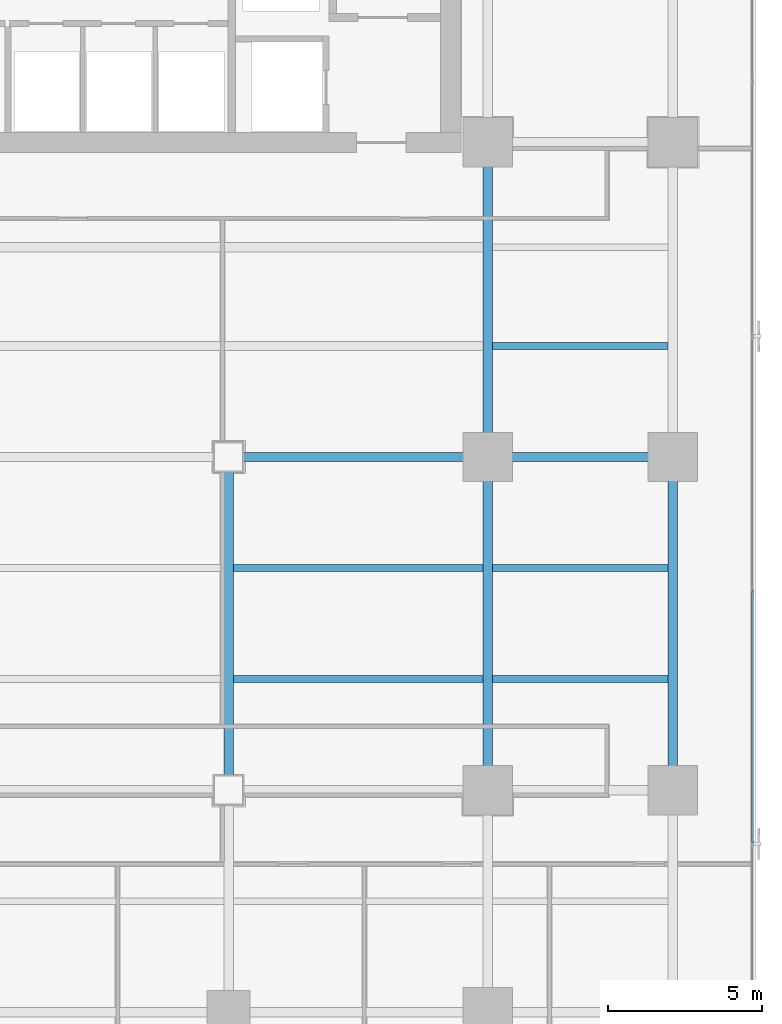
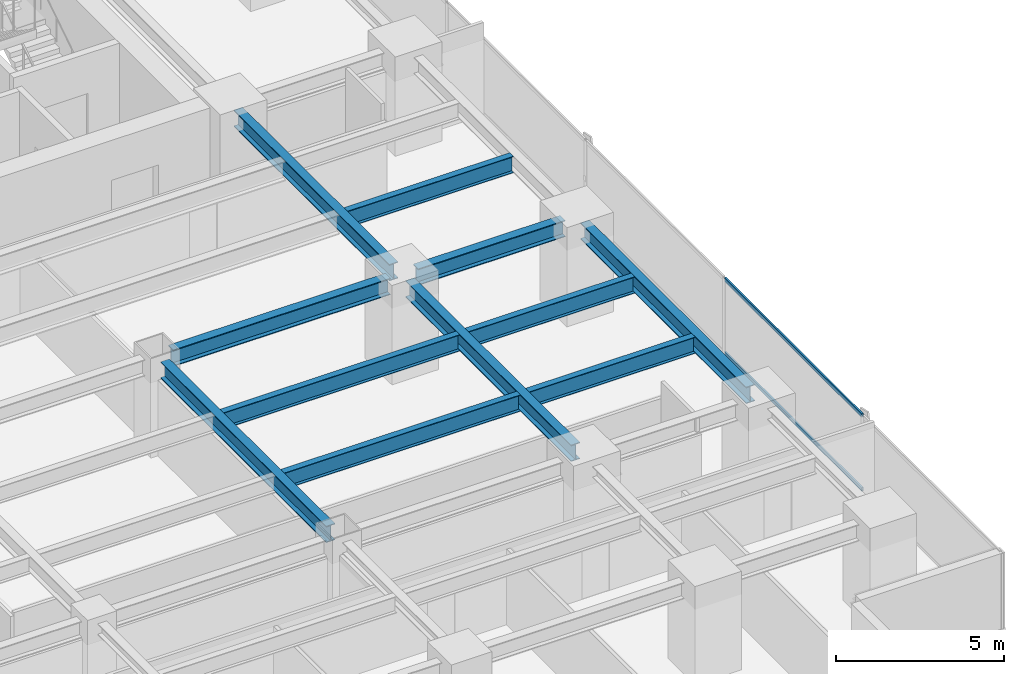
# One storey, part 15 of 36: 11 beams, 2 members, 1 element without a shape of its own.
"""IFC4 building model written with IfcOpenShell, lengths in metres."""

from ifc_helpers import new_model, si_unit, direction, frame, origin, origin_2d, place, context, subcontext, project, spatial, hollow_rectangle, i_section, extrude, source, transform, mapped, material, layer, layer_set, material_profile, profile_set, type_object, element, aggregate, save


model = new_model("IFC4")

# Units and contexts
model_context = context("Model", 3, precision=1e-05, world=origin(), true_north=direction((0.0, 1.0)))
body_context = subcontext(model_context, "Body", "Model", "MODEL_VIEW")
ifc_project = project(units=[si_unit("LENGTHUNIT", "METRE"), si_unit("AREAUNIT", "SQUARE_METRE"), si_unit("VOLUMEUNIT", "CUBIC_METRE"), si_unit("PLANEANGLEUNIT", "RADIAN"), si_unit("MASSUNIT", "GRAM", prefix="KILO")], contexts=[model_context])

# Site, building, storey
site_placement = place(None, origin())
site = spatial("IfcSite", under=ifc_project, at=site_placement, CompositionType="ELEMENT")
building_placement = place(site_placement, origin())
building = spatial("IfcBuilding", under=site, at=building_placement, Name="Sumidabori Civic Tower", CompositionType="ELEMENT")
storey_placement = place(building_placement, frame((0.0, 0.0, 84.800048828125)))
storey = spatial("IfcBuildingStorey", under=building, at=storey_placement, Name="L21", CompositionType="ELEMENT", Elevation=84.800048828125)

# Beams
ifc_material_1 = material(Name="Steel SN490", Category="steel")
ifc_material_profile_1 = material_profile(ifc_material_1, i_section(OverallWidth=0.300048828125, OverallDepth=0.60009765625, WebThickness=0.015380859375, FlangeThickness=0.030029296875, at=origin_2d()), Name="HE 600 B")
ifc_profile_set_1 = profile_set([ifc_material_profile_1], Name="Steel SN490")
beam_type_1 = type_object("IfcBeamType", Name="BM-GIRD-600", PredefinedType="BEAM", material=ifc_profile_set_1)
shared_shape_1 = source(origin(), body_context, "Body", "SweptSolid", [
    extrude(i_section(OverallWidth=0.300048828125, OverallDepth=0.60009765625, WebThickness=0.015380859375, FlangeThickness=0.030029296875, at=origin_2d()), origin(), (0.0, 0.0, 1.0), 5.0400390625),
])
beam_1_placement = place(storey_placement, frame((17.280029296875, 0.0, 3.06005859375), z_axis=(1.0, 0.0, 0.0), x_axis=(0.0, 1.0, 0.0)))
element("IfcBeam", 1, at=beam_1_placement, inside=storey, type_object=beam_type_1, Name="Primary Girder L21 GX-18", PredefinedType="BEAM", context=body_context, shape_type="MappedRepresentation", body=[
    mapped(shared_shape_1, transform((0.0, 0.0, 0.0), x_axis=(1.0, 0.0, 0.0), y_axis=(0.0, 1.0, 0.0), z_axis=(0.0, 0.0, 1.0), scale=1.0)),
])
shared_shape_2 = source(origin(), body_context, "Body", "SweptSolid", [
    extrude(i_section(OverallWidth=0.300048828125, OverallDepth=0.60009765625, WebThickness=0.015380859375, FlangeThickness=0.030029296875, at=origin_2d()), origin(), (0.0, 0.0, 1.0), 7.440185546875),
])
beam_2_placement = place(storey_placement, frame((8.8798828125, 0.0, 3.06005859375), z_axis=(1.0, 0.0, 0.0), x_axis=(0.0, 1.0, 0.0)))
element("IfcBeam", 2, at=beam_2_placement, inside=storey, type_object=beam_type_1, Name="Primary Girder L21 GX-17", PredefinedType="BEAM", context=body_context, shape_type="MappedRepresentation", body=[
    mapped(shared_shape_2, transform((0.0, 0.0, 0.0), x_axis=(1.0, 0.0, 0.0), y_axis=(0.0, 1.0, 0.0), z_axis=(0.0, 0.0, 1.0), scale=1.0)),
])
shared_shape_3 = source(origin(), body_context, "Body", "SweptSolid", [
    extrude(i_section(OverallWidth=0.300048828125, OverallDepth=0.60009765625, WebThickness=0.015380859375, FlangeThickness=0.030029296875, at=origin_2d()), origin(), (0.0, 0.0, 1.0), 9.840087890625),
])
for number, where, z_axis, x_axis, name in (
    (3, (8.39990234375, -10.320068359375, 3.06005859375), (0.0, 1.0, 0.0), (-1.0, 0.0, 0.0), "Primary Girder L21 GY-34"),
    (4, (16.800048828125, -10.320068359375, 3.06005859375), (0.0, 1.0, 0.0), (-1.0, 0.0, 0.0), "Primary Girder L21 GY-36"),
    (5, (22.800048828125, -10.320068359375, 3.06005859375), (0.0, 1.0, 0.0), (-1.0, 0.0, 0.0), "Primary Girder L21 GY-40"),
):
    element("IfcBeam", number, at=place(storey_placement, frame(where, z_axis=z_axis, x_axis=x_axis)), inside=storey, type_object=beam_type_1, Name=name, PredefinedType="BEAM", context=body_context, shape_type="MappedRepresentation", body=[
        mapped(shared_shape_3, transform((0.0, 0.0, 0.0), x_axis=(1.0, 0.0, 0.0), y_axis=(0.0, 1.0, 0.0), z_axis=(0.0, 0.0, 1.0), scale=1.0)),
    ])
shared_shape_4 = source(origin(), body_context, "Body", "SweptSolid", [
    extrude(i_section(OverallWidth=0.300048828125, OverallDepth=0.60009765625, WebThickness=0.015380859375, FlangeThickness=0.030029296875, at=origin_2d()), origin(), (0.0, 0.0, 1.0), 9.239990234375),
])
beam_3_placement = place(storey_placement, frame((16.800048828125, 0.47998046875, 3.06005859375), z_axis=(0.0, 1.0, 0.0), x_axis=(-1.0, 0.0, 0.0)))
element("IfcBeam", 6, at=beam_3_placement, inside=storey, type_object=beam_type_1, Name="Primary Girder L21 GY-37", PredefinedType="BEAM", context=body_context, shape_type="MappedRepresentation", body=[
    mapped(shared_shape_4, transform((0.0, 0.0, 0.0), x_axis=(1.0, 0.0, 0.0), y_axis=(0.0, 1.0, 0.0), z_axis=(0.0, 0.0, 1.0), scale=1.0)),
])
ifc_material_profile_2 = material_profile(ifc_material_1, i_section(OverallWidth=0.219970703125, OverallDepth=0.60009765625, WebThickness=0.011962890625, FlangeThickness=0.01904296875, at=origin_2d()), Name="IPE 600")
ifc_profile_set_2 = profile_set([ifc_material_profile_2], Name="Steel SN490")
beam_type_2 = type_object("IfcBeamType", Name="BM-JST-600", PredefinedType="JOIST", material=ifc_profile_set_2)
shared_shape_5 = source(origin(), body_context, "Body", "SweptSolid", [
    extrude(i_section(OverallWidth=0.219970703125, OverallDepth=0.60009765625, WebThickness=0.011962890625, FlangeThickness=0.01904296875, at=origin_2d()), origin(), (0.0, 0.0, 1.0), 5.699951171875),
])
for number, where, z_axis, x_axis, name in (
    (7, (16.949951171875, -7.199951171875, 3.06005859375), (1.0, 0.0, 0.0), (0.0, 1.0, 0.0), "Outer Bay Floor Joist L21 JSTO-44"),
    (8, (16.949951171875, -3.60009765625, 3.06005859375), (1.0, 0.0, 0.0), (0.0, 1.0, 0.0), "Outer Bay Floor Joist L21 JSTO-46"),
    (9, (16.949951171875, 3.60009765625, 3.06005859375), (1.0, 0.0, 0.0), (0.0, 1.0, 0.0), "Outer Bay Floor Joist L21 JSTO-48"),
):
    element("IfcBeam", number, at=place(storey_placement, frame(where, z_axis=z_axis, x_axis=x_axis)), inside=storey, type_object=beam_type_2, Name=name, PredefinedType="JOIST", context=body_context, shape_type="MappedRepresentation", body=[
        mapped(shared_shape_5, transform((0.0, 0.0, 0.0), x_axis=(1.0, 0.0, 0.0), y_axis=(0.0, 1.0, 0.0), z_axis=(0.0, 0.0, 1.0), scale=1.0)),
    ])
shared_shape_6 = source(origin(), body_context, "Body", "SweptSolid", [
    extrude(i_section(OverallWidth=0.219970703125, OverallDepth=0.60009765625, WebThickness=0.011962890625, FlangeThickness=0.01904296875, at=origin_2d()), origin(), (0.0, 0.0, 1.0), 8.099853515625),
])
for number, where, z_axis, x_axis, name in (
    (10, (8.550048828125, -7.199951171875, 3.06005859375), (1.0, 0.0, 0.0), (0.0, 1.0, 0.0), "South Bay Floor Joist L21 JSTS-62"),
    (11, (8.550048828125, -3.60009765625, 3.06005859375), (1.0, 0.0, 0.0), (0.0, 1.0, 0.0), "South Bay Floor Joist L21 JSTS-66"),
):
    element("IfcBeam", number, at=place(storey_placement, frame(where, z_axis=z_axis, x_axis=x_axis)), inside=storey, type_object=beam_type_2, Name=name, PredefinedType="JOIST", context=body_context, shape_type="MappedRepresentation", body=[
        mapped(shared_shape_6, transform((0.0, 0.0, 0.0), x_axis=(1.0, 0.0, 0.0), y_axis=(0.0, 1.0, 0.0), z_axis=(0.0, 0.0, 1.0), scale=1.0)),
    ])

# Curtain wall, members
ifc_material_2 = material(Name="Anodised Bronze Aluminium AW-6063-T6", Category="aluminium")
ifc_layer = layer(ifc_material_2, 0.179931640625, Name="Anodised Bronze Aluminium AW-6063-T6")
ifc_layer_set = layer_set([ifc_layer], Name="Anodised Bronze Aluminium AW-6063-T6")
curtain_wall_type = type_object("IfcCurtainWallType", Name="CW-SYS-3", PredefinedType="NOTDEFINED", material=ifc_layer_set)
curtain_wall_placement = place(storey_placement, origin())
curtain_wall = element("IfcCurtainWall", 12, at=curtain_wall_placement, inside=storey, type_object=curtain_wall_type, Name="Curtain Wall CW:L21:R04", PredefinedType="NOTDEFINED")
ifc_material_profile_3 = material_profile(ifc_material_2, hollow_rectangle(XDim=0.06005859375, YDim=0.1298828125, WallThickness=0.0048828125, at=origin_2d()), Name="ALU TRANSOM 130x60")
ifc_profile_set_3 = profile_set([ifc_material_profile_3], Name="Anodised Bronze Aluminium AW-6063-T6")
member_type = type_object("IfcMemberType", Name="CW-TRN-130", PredefinedType="USERDEFINED", material=ifc_profile_set_3)
shared_shape_7 = source(origin(), body_context, "Body", "SweptSolid", [
    extrude(hollow_rectangle(XDim=0.06005859375, YDim=0.1298828125, WallThickness=0.0048828125, at=origin_2d()), origin(), (0.0, 0.0, 1.0), 8.1630859375),
])
member_1_placement = place(storey_placement, frame((25.3798828125, -12.509521484375, 0.030029296875), z_axis=(0.0, 1.0, 0.0), x_axis=(-1.0, 0.0, 0.0)))
member_1 = element("IfcMember", 13, at=member_1_placement, type_object=member_type, Name="CW-3 transom 2.1", ObjectType="TRANSOM", PredefinedType="USERDEFINED", context=body_context, shape_type="MappedRepresentation", body=[
    mapped(shared_shape_7, transform((0.0, 0.0, 0.0), x_axis=(1.0, 0.0, 0.0), y_axis=(0.0, 1.0, 0.0), z_axis=(0.0, 0.0, 1.0), scale=1.0)),
])
member_2_placement = place(storey_placement, frame((25.3798828125, -12.509521484375, 2.7099609375), z_axis=(0.0, 1.0, 0.0), x_axis=(-1.0, 0.0, 0.0)))
member_2 = element("IfcMember", 14, at=member_2_placement, type_object=member_type, Name="CW-3 transom 2.2", ObjectType="TRANSOM", PredefinedType="USERDEFINED", context=body_context, shape_type="MappedRepresentation", body=[
    mapped(shared_shape_7, transform((0.0, 0.0, 0.0), x_axis=(1.0, 0.0, 0.0), y_axis=(0.0, 1.0, 0.0), z_axis=(0.0, 0.0, 1.0), scale=1.0)),
])
aggregate(curtain_wall, [member_1, member_2])

save(model, "model.ifc")
